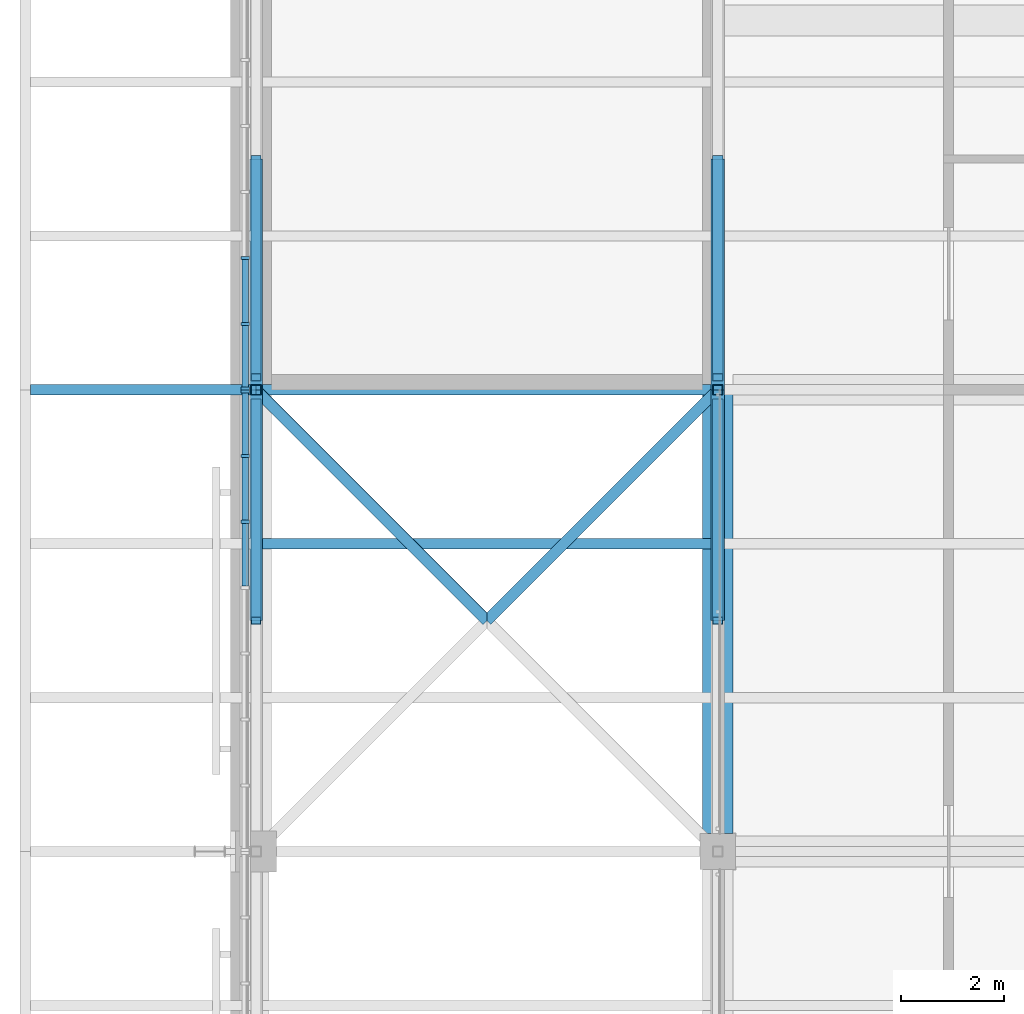
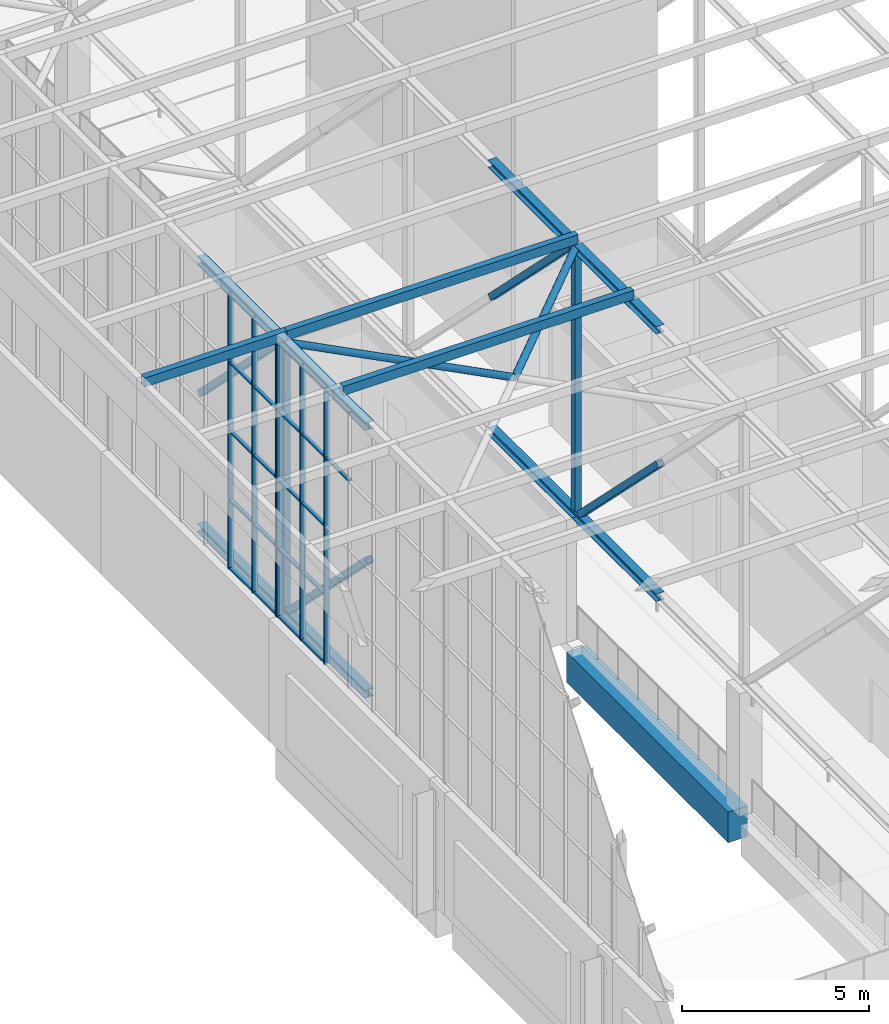
# One storey, part 23 of 646: 49 members, 1 beam, 2 elements without a shape of their own.
"""IFC4 building model written with IfcOpenShell, lengths in metres."""

from ifc_helpers import new_model, si_unit, direction, frame, origin, origin_2d, place, context, subcontext, project, spatial, rectangle, hollow_rectangle, hollow_circle, i_section, extrude, material, material_profile, profile_set, type_object, element, aggregate, save


model = new_model("IFC4")

# Units and contexts
model_context = context("Model", 3, precision=1e-05, world=origin(), true_north=direction((0.0, 1.0)))
body_context = subcontext(model_context, "Body", "Model", "MODEL_VIEW")
ifc_project = project(units=[si_unit("LENGTHUNIT", "METRE"), si_unit("AREAUNIT", "SQUARE_METRE"), si_unit("VOLUMEUNIT", "CUBIC_METRE"), si_unit("PLANEANGLEUNIT", "RADIAN"), si_unit("MASSUNIT", "GRAM", prefix="KILO")], contexts=[model_context])

# Site, building, storey
site_placement = place(None, origin())
site = spatial("IfcSite", under=ifc_project, at=site_placement, CompositionType="ELEMENT")
building_placement = place(site_placement, origin())
building = spatial("IfcBuilding", under=site, at=building_placement, Name="Silverbay Arena", CompositionType="ELEMENT")
storey_placement = place(building_placement, frame((0.0, 0.0, 33.5)))
storey = spatial("IfcBuildingStorey", under=building, at=storey_placement, Name="L05", CompositionType="ELEMENT", Elevation=33.5)

# Curtain wall, members
ifc_material_1 = material(Name="Aluminium framed glazing", Category="aluminium")
curtain_wall_type = type_object("IfcCurtainWallType", Name="Curtain wall clerestory 9000 x 9000", PredefinedType="NOTDEFINED", material=ifc_material_1)
curtain_wall_1_placement = place(storey_placement, origin())
curtain_wall_1 = element("IfcCurtainWall", 1, at=curtain_wall_1_placement, inside=storey, type_object=curtain_wall_type, Name="ROOF GABLE CLERESTORY CURTAIN WALL west bay 05", PredefinedType="NOTDEFINED")
ifc_material_2 = material(Name="Aluminium", Category="aluminium")
ifc_material_profile_1 = material_profile(ifc_material_2, rectangle(XDim=0.159912109375, YDim=0.06005859375, at=origin_2d()), Name="Mullion 60 x 160")
ifc_profile_set_1 = profile_set([ifc_material_profile_1], Name="Aluminium")
member_type_1 = type_object("IfcMemberType", Name="Mullion 60 x 160", PredefinedType="MULLION", material=ifc_profile_set_1)
member_1_placement = place(storey_placement, frame((53.7900390625, 51.428466796875, 4.0), z_axis=(0.0, 0.0, 1.0), x_axis=(-1.0, 0.0, 0.0)))
member_1 = element("IfcMember", 2, at=member_1_placement, type_object=member_type_1, Name="CW60 mullion 6", PredefinedType="MULLION", context=body_context, shape_type="SweptSolid", body=[
    extrude(rectangle(XDim=0.159912109375, YDim=0.06005859375, at=origin_2d()), origin(), (0.0, 0.0, 1.0), 9.0),
])
member_2_placement = place(storey_placement, frame((53.7900390625, 52.71435546875, 4.0), z_axis=(0.0, 0.0, 1.0), x_axis=(-1.0, 0.0, 0.0)))
member_2 = element("IfcMember", 3, at=member_2_placement, type_object=member_type_1, Name="CW60 mullion 7", PredefinedType="MULLION", context=body_context, shape_type="SweptSolid", body=[
    extrude(rectangle(XDim=0.159912109375, YDim=0.06005859375, at=origin_2d()), origin(), (0.0, 0.0, 1.0), 9.0),
])
member_3_placement = place(storey_placement, frame((53.7900390625, 53.969970703125, 4.0), z_axis=(0.0, 0.0, 1.0), x_axis=(-1.0, 0.0, 0.0)))
member_3 = element("IfcMember", 4, at=member_3_placement, type_object=member_type_1, Name="CW60 mullion 8", PredefinedType="MULLION", context=body_context, shape_type="SweptSolid", body=[
    extrude(rectangle(XDim=0.159912109375, YDim=0.06005859375, at=origin_2d()), origin(), (0.0, 0.0, 1.0), 9.0),
])

curtain_wall_2_placement = place(storey_placement, origin())
curtain_wall_2 = element("IfcCurtainWall", 5, at=curtain_wall_2_placement, inside=storey, type_object=curtain_wall_type, Name="ROOF GABLE CLERESTORY CURTAIN WALL west bay 06", PredefinedType="NOTDEFINED")
member_4_placement = place(storey_placement, frame((53.7900390625, 54.030029296875, 4.0), z_axis=(0.0, 0.0, 1.0), x_axis=(-1.0, 0.0, 0.0)))
member_4 = element("IfcMember", 6, at=member_4_placement, type_object=member_type_1, Name="CW60 mullion 1", PredefinedType="MULLION", context=body_context, shape_type="SweptSolid", body=[
    extrude(rectangle(XDim=0.159912109375, YDim=0.06005859375, at=origin_2d()), origin(), (0.0, 0.0, 1.0), 9.0),
])
member_5_placement = place(storey_placement, frame((53.7900390625, 55.28564453125, 4.0), z_axis=(0.0, 0.0, 1.0), x_axis=(-1.0, 0.0, 0.0)))
member_5 = element("IfcMember", 7, at=member_5_placement, type_object=member_type_1, Name="CW60 mullion 2", PredefinedType="MULLION", context=body_context, shape_type="SweptSolid", body=[
    extrude(rectangle(XDim=0.159912109375, YDim=0.06005859375, at=origin_2d()), origin(), (0.0, 0.0, 1.0), 9.0),
])
member_6_placement = place(storey_placement, frame((53.7900390625, 56.571533203125, 4.0), z_axis=(0.0, 0.0, 1.0), x_axis=(-1.0, 0.0, 0.0)))
member_6 = element("IfcMember", 8, at=member_6_placement, type_object=member_type_1, Name="CW60 mullion 3", PredefinedType="MULLION", context=body_context, shape_type="SweptSolid", body=[
    extrude(rectangle(XDim=0.159912109375, YDim=0.06005859375, at=origin_2d()), origin(), (0.0, 0.0, 1.0), 9.0),
])

# Members
ifc_material_3 = material(Name="Steel S355", Category="steel")
ifc_material_profile_2 = material_profile(ifc_material_3, hollow_circle(Radius=0.109619140625, WallThickness=0.00634765625, at=origin_2d()), Name="CHS 219.1x6.3")
ifc_profile_set_2 = profile_set([ifc_material_profile_2], Name="Steel S355")
member_type_2 = type_object("IfcMemberType", Name="Plan bracing CHS 219.1x6.3", PredefinedType="BRACE", material=ifc_profile_set_2)
for number, where, z_axis, x_axis, name in (
    (9, (58.5, 49.5, 12.873046875), (0.707106781187, 0.707106781187, 0.0), (-0.707106781187, 0.707106781187, 0.0), "ROOF BRACING top 7-8 panel 05 Ab"),
    (10, (54.0, 54.0, 12.873046875), (0.707106781187, -0.707106781187, 0.0), (0.707106781187, 0.707106781187, 0.0), "ROOF BRACING top 7-8 panel 05 Ba"),
):
    element("IfcMember", number, at=place(storey_placement, frame(where, z_axis=z_axis, x_axis=x_axis)), inside=storey, type_object=member_type_2, Name=name, PredefinedType="BRACE", context=body_context, shape_type="SweptSolid", body=[
        extrude(hollow_circle(Radius=0.109619140625, WallThickness=0.00634765625, at=origin_2d()), origin(), (0.0, 0.0, 1.0), 6.364013671875),
    ])
ifc_material_4 = material(Name="Steel S355", Category="steel")
ifc_material_profile_3 = material_profile(ifc_material_4, hollow_rectangle(XDim=0.199951171875, YDim=0.300048828125, WallThickness=0.008056640625, at=origin_2d()), Name="RHS 300x200x8")
ifc_profile_set_3 = profile_set([ifc_material_profile_3], Name="Steel S355")
member_type_3 = type_object("IfcMemberType", Name="Purlin RHS 300x200x8", PredefinedType="PURLIN", material=ifc_profile_set_3)
for number, where, z_axis, x_axis, name in (
    (11, (54.0, 51.0, 13.14990234375), (1.0, 0.0, 0.0), (0.0, 1.0, 0.0), "ROOF PURLIN 7-8 line 15"),
    (12, (54.0, 54.0, 13.14990234375), (1.0, 0.0, 0.0), (0.0, 1.0, 0.0), "ROOF PURLIN 7-8 line 16"),
):
    element("IfcMember", number, at=place(storey_placement, frame(where, z_axis=z_axis, x_axis=x_axis)), inside=storey, type_object=member_type_3, Name=name, PredefinedType="PURLIN", context=body_context, shape_type="SweptSolid", body=[
        extrude(hollow_rectangle(XDim=0.199951171875, YDim=0.300048828125, WallThickness=0.008056640625, at=origin_2d()), origin(), (0.0, 0.0, 1.0), 9.0),
    ])
member_7_placement = place(storey_placement, frame((49.60009765625, 54.0, 13.14990234375), z_axis=(1.0, 0.0, 0.0), x_axis=(0.0, 1.0, 0.0)))
element("IfcMember", 13, at=member_7_placement, inside=storey, type_object=member_type_3, Name="ROOF PURLIN west eave line 16", PredefinedType="PURLIN", context=body_context, shape_type="SweptSolid", body=[
    extrude(hollow_rectangle(XDim=0.199951171875, YDim=0.300048828125, WallThickness=0.008056640625, at=origin_2d()), origin(), (0.0, 0.0, 1.0), 4.39990234375),
])

# Beam
ifc_material_5 = material(Name="Concrete Grade C45", Category="concrete")
ifc_material_profile_4 = material_profile(ifc_material_5, rectangle(XDim=0.60009765625, YDim=1.0, at=origin_2d()), Name="RC 600x1000")
ifc_profile_set_4 = profile_set([ifc_material_profile_4], Name="Concrete Grade C45")
beam_type = type_object("IfcBeamType", Name="RC beam 600x1000", PredefinedType="BEAM", material=ifc_profile_set_4)
beam_placement = place(storey_placement, frame((63.0, 45.35009765625, -0.800048828125), z_axis=(0.0, 1.0, 0.0), x_axis=(-1.0, 0.0, 0.0)))
element("IfcBeam", 14, at=beam_placement, inside=storey, type_object=beam_type, Name="Floor beam L05 081", PredefinedType="BEAM", context=body_context, shape_type="SweptSolid", body=[
    extrude(rectangle(XDim=0.60009765625, YDim=1.0, at=origin_2d()), origin(), (0.0, 0.0, 1.0), 8.64990234375),
])

# Members
ifc_material_6 = material(Name="Steel S355", Category="steel")
ifc_material_profile_5 = material_profile(ifc_material_6, i_section(OverallWidth=0.254638671875, OverallDepth=0.254150390625, WebThickness=0.008544921875, FlangeThickness=0.01416015625, at=origin_2d()), Name="UC 254x254x73")
ifc_profile_set_5 = profile_set([ifc_material_profile_5], Name="Steel S355")
member_type_4 = type_object("IfcMemberType", Name="Short-span bottom chord UC 254x254x73", PredefinedType="CHORD", material=ifc_profile_set_5)
for number, where, z_axis, x_axis, name in (
    (15, (54.0, 49.5, 4.126953125), (0.0, 1.0, 0.0), (-1.0, 0.0, 0.0), "ROOF TRUSS 7 bottom chord 05b"),
    (16, (54.0, 54.0, 4.126953125), (0.0, 1.0, 0.0), (-1.0, 0.0, 0.0), "ROOF TRUSS 7 bottom chord 06a"),
    (17, (63.0, 49.5, 4.126953125), (0.0, 1.0, 0.0), (-1.0, 0.0, 0.0), "ROOF TRUSS 8 bottom chord 05b"),
    (18, (63.0, 54.0, 4.126953125), (0.0, 1.0, 0.0), (-1.0, 0.0, 0.0), "ROOF TRUSS 8 bottom chord 06a"),
):
    element("IfcMember", number, at=place(storey_placement, frame(where, z_axis=z_axis, x_axis=x_axis)), inside=storey, type_object=member_type_4, Name=name, PredefinedType="CHORD", context=body_context, shape_type="SweptSolid", body=[
        extrude(i_section(OverallWidth=0.254638671875, OverallDepth=0.254150390625, WebThickness=0.008544921875, FlangeThickness=0.01416015625, at=origin_2d()), origin(), (0.0, 0.0, 1.0), 4.5),
    ])
ifc_material_7 = material(Name="Steel S355", Category="steel")
ifc_material_profile_6 = material_profile(ifc_material_7, i_section(OverallWidth=0.254638671875, OverallDepth=0.254150390625, WebThickness=0.008544921875, FlangeThickness=0.01416015625, at=origin_2d()), Name="UC 254x254x73")
ifc_profile_set_6 = profile_set([ifc_material_profile_6], Name="Steel S355")
member_type_5 = type_object("IfcMemberType", Name="Short-span top chord UC 254x254x73", PredefinedType="CHORD", material=ifc_profile_set_6)
for number, where, z_axis, x_axis, name in (
    (19, (54.0, 49.5, 12.873046875), (0.0, 1.0, 0.0), (-1.0, 0.0, 0.0), "ROOF TRUSS 7 top chord 05b"),
    (20, (54.0, 54.0, 12.873046875), (0.0, 1.0, 0.0), (-1.0, 0.0, 0.0), "ROOF TRUSS 7 top chord 06a"),
    (21, (63.0, 49.5, 12.873046875), (0.0, 1.0, 0.0), (-1.0, 0.0, 0.0), "ROOF TRUSS 8 top chord 05b"),
    (22, (63.0, 54.0, 12.873046875), (0.0, 1.0, 0.0), (-1.0, 0.0, 0.0), "ROOF TRUSS 8 top chord 06a"),
):
    element("IfcMember", number, at=place(storey_placement, frame(where, z_axis=z_axis, x_axis=x_axis)), inside=storey, type_object=member_type_5, Name=name, PredefinedType="CHORD", context=body_context, shape_type="SweptSolid", body=[
        extrude(i_section(OverallWidth=0.254638671875, OverallDepth=0.254150390625, WebThickness=0.008544921875, FlangeThickness=0.01416015625, at=origin_2d()), origin(), (0.0, 0.0, 1.0), 4.5),
    ])
ifc_material_8 = material(Name="Steel S355", Category="steel")
ifc_material_profile_7 = material_profile(ifc_material_8, hollow_rectangle(XDim=0.199951171875, YDim=0.199951171875, WallThickness=0.008056640625, at=origin_2d()), Name="SHS 200x200x8")
ifc_profile_set_7 = profile_set([ifc_material_profile_7], Name="Steel S355")
member_type_6 = type_object("IfcMemberType", Name="Short-span truss diagonal SHS 200x200x8", PredefinedType="BRACE", material=ifc_profile_set_7)
member_8_placement = place(storey_placement, frame((54.0, 49.5, 8.5), z_axis=(0.0, 0.70781724692, -0.706395600894), x_axis=(-1.0, 0.0, 0.0)))
element("IfcMember", 23, at=member_8_placement, inside=storey, type_object=member_type_6, Name="ROOF TRUSS 7 diagonal 05b", PredefinedType="BRACE", context=body_context, shape_type="SweptSolid", body=[
    extrude(hollow_rectangle(XDim=0.199951171875, YDim=0.199951171875, WallThickness=0.008056640625, at=origin_2d()), origin(), (0.0, 0.0, 1.0), 6.010498046875),
])
member_9_placement = place(storey_placement, frame((54.0, 54.24560546875, 12.745849609375), z_axis=(0.0, 0.707411529143, -0.706801901834), x_axis=(-1.0, 0.0, 0.0)))
element("IfcMember", 24, at=member_9_placement, inside=storey, type_object=member_type_6, Name="ROOF TRUSS 7 diagonal 06a", PredefinedType="BRACE", context=body_context, shape_type="SweptSolid", body=[
    extrude(hollow_rectangle(XDim=0.199951171875, YDim=0.199951171875, WallThickness=0.008056640625, at=origin_2d()), origin(), (0.0, 0.0, 1.0), 6.007080078125),
])
member_10_placement = place(storey_placement, frame((63.0, 49.5, 8.5), z_axis=(0.0, 0.70781724692, -0.706395600894), x_axis=(-1.0, 0.0, 0.0)))
element("IfcMember", 25, at=member_10_placement, inside=storey, type_object=member_type_6, Name="ROOF TRUSS 8 diagonal 05b", PredefinedType="BRACE", context=body_context, shape_type="SweptSolid", body=[
    extrude(hollow_rectangle(XDim=0.199951171875, YDim=0.199951171875, WallThickness=0.008056640625, at=origin_2d()), origin(), (0.0, 0.0, 1.0), 6.010498046875),
])
member_11_placement = place(storey_placement, frame((63.0, 54.24560546875, 12.745849609375), z_axis=(0.0, 0.707411529143, -0.706801901834), x_axis=(-1.0, 0.0, 0.0)))
element("IfcMember", 26, at=member_11_placement, inside=storey, type_object=member_type_6, Name="ROOF TRUSS 8 diagonal 06a", PredefinedType="BRACE", context=body_context, shape_type="SweptSolid", body=[
    extrude(hollow_rectangle(XDim=0.199951171875, YDim=0.199951171875, WallThickness=0.008056640625, at=origin_2d()), origin(), (0.0, 0.0, 1.0), 6.007080078125),
])
ifc_material_9 = material(Name="Steel S355", Category="steel")
ifc_material_profile_8 = material_profile(ifc_material_9, hollow_rectangle(XDim=0.199951171875, YDim=0.199951171875, WallThickness=0.008056640625, at=origin_2d()), Name="SHS 200x200x8")
ifc_profile_set_8 = profile_set([ifc_material_profile_8], Name="Steel S355")
member_type_7 = type_object("IfcMemberType", Name="Short-span truss vertical SHS 200x200x8", PredefinedType="STRUT", material=ifc_profile_set_8)
for number, where, z_axis, x_axis, name in (
    (27, (54.0, 54.0, 4.254150390625), (0.0, 0.0, 1.0), (1.0, 0.0, 0.0), "ROOF TRUSS 7 vertical 06a"),
    (28, (54.0, 54.0, 8.5), (0.0, 0.0, 1.0), (1.0, 0.0, 0.0), "ROOF TRUSS 7 vertical 06b"),
    (29, (63.0, 54.0, 4.254150390625), (0.0, 0.0, 1.0), (1.0, 0.0, 0.0), "ROOF TRUSS 8 vertical 06a"),
    (30, (63.0, 54.0, 8.5), (0.0, 0.0, 1.0), (1.0, 0.0, 0.0), "ROOF TRUSS 8 vertical 06b"),
):
    element("IfcMember", number, at=place(storey_placement, frame(where, z_axis=z_axis, x_axis=x_axis)), inside=storey, type_object=member_type_7, Name=name, PredefinedType="STRUT", context=body_context, shape_type="SweptSolid", body=[
        extrude(hollow_rectangle(XDim=0.199951171875, YDim=0.199951171875, WallThickness=0.008056640625, at=origin_2d()), origin(), (0.0, 0.0, 1.0), 4.245849609375),
    ])

# Member
ifc_material_10 = material(Name="Aluminium", Category="aluminium")
ifc_material_profile_9 = material_profile(ifc_material_10, rectangle(XDim=0.1201171875, YDim=0.050048828125, at=origin_2d()), Name="Transom 50 x 120")
ifc_profile_set_9 = profile_set([ifc_material_profile_9], Name="Aluminium")
member_type_8 = type_object("IfcMemberType", Name="Transom 50 x 120", PredefinedType="USERDEFINED", material=ifc_profile_set_9)
member_12_placement = place(storey_placement, frame((53.7900390625, 50.1728515625, 10.75), z_axis=(0.0, 1.0, 0.0), x_axis=(-1.0, 0.0, 0.0)))
member_12 = element("IfcMember", 31, at=member_12_placement, type_object=member_type_8, Name="CW60 transom 5.4", ObjectType="TRANSOM", PredefinedType="USERDEFINED", context=body_context, shape_type="SweptSolid", body=[
    extrude(rectangle(XDim=0.1201171875, YDim=0.050048828125, at=origin_2d()), origin(), (0.0, 0.0, 1.0), 1.225830078125),
])

member_13_placement = place(storey_placement, frame((53.7900390625, 50.1728515625, 12.97509765625), z_axis=(0.0, 1.0, 0.0), x_axis=(-1.0, 0.0, 0.0)))
member_13 = element("IfcMember", 32, at=member_13_placement, type_object=member_type_8, Name="CW60 transom 5.5", ObjectType="TRANSOM", PredefinedType="USERDEFINED", context=body_context, shape_type="SweptSolid", body=[
    extrude(rectangle(XDim=0.1201171875, YDim=0.050048828125, at=origin_2d()), origin(), (0.0, 0.0, 1.0), 1.225830078125),
])

member_14_placement = place(storey_placement, frame((53.7900390625, 51.45849609375, 4.02490234375), z_axis=(0.0, 1.0, 0.0), x_axis=(-1.0, 0.0, 0.0)))
member_14 = element("IfcMember", 33, at=member_14_placement, type_object=member_type_8, Name="CW60 transom 6.1", ObjectType="TRANSOM", PredefinedType="USERDEFINED", context=body_context, shape_type="SweptSolid", body=[
    extrude(rectangle(XDim=0.1201171875, YDim=0.050048828125, at=origin_2d()), origin(), (0.0, 0.0, 1.0), 1.225830078125),
])

member_15_placement = place(storey_placement, frame((53.7900390625, 51.45849609375, 6.25), z_axis=(0.0, 1.0, 0.0), x_axis=(-1.0, 0.0, 0.0)))
member_15 = element("IfcMember", 34, at=member_15_placement, type_object=member_type_8, Name="CW60 transom 6.2", ObjectType="TRANSOM", PredefinedType="USERDEFINED", context=body_context, shape_type="SweptSolid", body=[
    extrude(rectangle(XDim=0.1201171875, YDim=0.050048828125, at=origin_2d()), origin(), (0.0, 0.0, 1.0), 1.225830078125),
])

member_16_placement = place(storey_placement, frame((53.7900390625, 51.45849609375, 8.5), z_axis=(0.0, 1.0, 0.0), x_axis=(-1.0, 0.0, 0.0)))
member_16 = element("IfcMember", 35, at=member_16_placement, type_object=member_type_8, Name="CW60 transom 6.3", ObjectType="TRANSOM", PredefinedType="USERDEFINED", context=body_context, shape_type="SweptSolid", body=[
    extrude(rectangle(XDim=0.1201171875, YDim=0.050048828125, at=origin_2d()), origin(), (0.0, 0.0, 1.0), 1.225830078125),
])

member_17_placement = place(storey_placement, frame((53.7900390625, 51.45849609375, 10.75), z_axis=(0.0, 1.0, 0.0), x_axis=(-1.0, 0.0, 0.0)))
member_17 = element("IfcMember", 36, at=member_17_placement, type_object=member_type_8, Name="CW60 transom 6.4", ObjectType="TRANSOM", PredefinedType="USERDEFINED", context=body_context, shape_type="SweptSolid", body=[
    extrude(rectangle(XDim=0.1201171875, YDim=0.050048828125, at=origin_2d()), origin(), (0.0, 0.0, 1.0), 1.225830078125),
])

member_18_placement = place(storey_placement, frame((53.7900390625, 51.45849609375, 12.97509765625), z_axis=(0.0, 1.0, 0.0), x_axis=(-1.0, 0.0, 0.0)))
member_18 = element("IfcMember", 37, at=member_18_placement, type_object=member_type_8, Name="CW60 transom 6.5", ObjectType="TRANSOM", PredefinedType="USERDEFINED", context=body_context, shape_type="SweptSolid", body=[
    extrude(rectangle(XDim=0.1201171875, YDim=0.050048828125, at=origin_2d()), origin(), (0.0, 0.0, 1.0), 1.225830078125),
])

member_19_placement = place(storey_placement, frame((53.7900390625, 52.744384765625, 4.02490234375), z_axis=(0.0, 1.0, 0.0), x_axis=(-1.0, 0.0, 0.0)))
member_19 = element("IfcMember", 38, at=member_19_placement, type_object=member_type_8, Name="CW60 transom 7.1", ObjectType="TRANSOM", PredefinedType="USERDEFINED", context=body_context, shape_type="SweptSolid", body=[
    extrude(rectangle(XDim=0.1201171875, YDim=0.050048828125, at=origin_2d()), origin(), (0.0, 0.0, 1.0), 1.195556640625),
])

member_20_placement = place(storey_placement, frame((53.7900390625, 52.744384765625, 6.25), z_axis=(0.0, 1.0, 0.0), x_axis=(-1.0, 0.0, 0.0)))
member_20 = element("IfcMember", 39, at=member_20_placement, type_object=member_type_8, Name="CW60 transom 7.2", ObjectType="TRANSOM", PredefinedType="USERDEFINED", context=body_context, shape_type="SweptSolid", body=[
    extrude(rectangle(XDim=0.1201171875, YDim=0.050048828125, at=origin_2d()), origin(), (0.0, 0.0, 1.0), 1.195556640625),
])

member_21_placement = place(storey_placement, frame((53.7900390625, 52.744384765625, 8.5), z_axis=(0.0, 1.0, 0.0), x_axis=(-1.0, 0.0, 0.0)))
member_21 = element("IfcMember", 40, at=member_21_placement, type_object=member_type_8, Name="CW60 transom 7.3", ObjectType="TRANSOM", PredefinedType="USERDEFINED", context=body_context, shape_type="SweptSolid", body=[
    extrude(rectangle(XDim=0.1201171875, YDim=0.050048828125, at=origin_2d()), origin(), (0.0, 0.0, 1.0), 1.195556640625),
])

member_22_placement = place(storey_placement, frame((53.7900390625, 52.744384765625, 10.75), z_axis=(0.0, 1.0, 0.0), x_axis=(-1.0, 0.0, 0.0)))
member_22 = element("IfcMember", 41, at=member_22_placement, type_object=member_type_8, Name="CW60 transom 7.4", ObjectType="TRANSOM", PredefinedType="USERDEFINED", context=body_context, shape_type="SweptSolid", body=[
    extrude(rectangle(XDim=0.1201171875, YDim=0.050048828125, at=origin_2d()), origin(), (0.0, 0.0, 1.0), 1.195556640625),
])

member_23_placement = place(storey_placement, frame((53.7900390625, 52.744384765625, 12.97509765625), z_axis=(0.0, 1.0, 0.0), x_axis=(-1.0, 0.0, 0.0)))
member_23 = element("IfcMember", 42, at=member_23_placement, type_object=member_type_8, Name="CW60 transom 7.5", ObjectType="TRANSOM", PredefinedType="USERDEFINED", context=body_context, shape_type="SweptSolid", body=[
    extrude(rectangle(XDim=0.1201171875, YDim=0.050048828125, at=origin_2d()), origin(), (0.0, 0.0, 1.0), 1.195556640625),
])

aggregate(curtain_wall_1, [member_1, member_2, member_3, member_12, member_13, member_14, member_15, member_16, member_17, member_18, member_19, member_20, member_21, member_22, member_23])

member_24_placement = place(storey_placement, frame((53.7900390625, 54.06005859375, 4.02490234375), z_axis=(0.0, 1.0, 0.0), x_axis=(-1.0, 0.0, 0.0)))
member_24 = element("IfcMember", 43, at=member_24_placement, type_object=member_type_8, Name="CW60 transom 1.1", ObjectType="TRANSOM", PredefinedType="USERDEFINED", context=body_context, shape_type="SweptSolid", body=[
    extrude(rectangle(XDim=0.1201171875, YDim=0.050048828125, at=origin_2d()), origin(), (0.0, 0.0, 1.0), 1.195556640625),
])

member_25_placement = place(storey_placement, frame((53.7900390625, 54.06005859375, 6.25), z_axis=(0.0, 1.0, 0.0), x_axis=(-1.0, 0.0, 0.0)))
member_25 = element("IfcMember", 44, at=member_25_placement, type_object=member_type_8, Name="CW60 transom 1.2", ObjectType="TRANSOM", PredefinedType="USERDEFINED", context=body_context, shape_type="SweptSolid", body=[
    extrude(rectangle(XDim=0.1201171875, YDim=0.050048828125, at=origin_2d()), origin(), (0.0, 0.0, 1.0), 1.195556640625),
])

member_26_placement = place(storey_placement, frame((53.7900390625, 54.06005859375, 8.5), z_axis=(0.0, 1.0, 0.0), x_axis=(-1.0, 0.0, 0.0)))
member_26 = element("IfcMember", 45, at=member_26_placement, type_object=member_type_8, Name="CW60 transom 1.3", ObjectType="TRANSOM", PredefinedType="USERDEFINED", context=body_context, shape_type="SweptSolid", body=[
    extrude(rectangle(XDim=0.1201171875, YDim=0.050048828125, at=origin_2d()), origin(), (0.0, 0.0, 1.0), 1.195556640625),
])

member_27_placement = place(storey_placement, frame((53.7900390625, 54.06005859375, 10.75), z_axis=(0.0, 1.0, 0.0), x_axis=(-1.0, 0.0, 0.0)))
member_27 = element("IfcMember", 46, at=member_27_placement, type_object=member_type_8, Name="CW60 transom 1.4", ObjectType="TRANSOM", PredefinedType="USERDEFINED", context=body_context, shape_type="SweptSolid", body=[
    extrude(rectangle(XDim=0.1201171875, YDim=0.050048828125, at=origin_2d()), origin(), (0.0, 0.0, 1.0), 1.195556640625),
])

member_28_placement = place(storey_placement, frame((53.7900390625, 54.06005859375, 12.97509765625), z_axis=(0.0, 1.0, 0.0), x_axis=(-1.0, 0.0, 0.0)))
member_28 = element("IfcMember", 47, at=member_28_placement, type_object=member_type_8, Name="CW60 transom 1.5", ObjectType="TRANSOM", PredefinedType="USERDEFINED", context=body_context, shape_type="SweptSolid", body=[
    extrude(rectangle(XDim=0.1201171875, YDim=0.050048828125, at=origin_2d()), origin(), (0.0, 0.0, 1.0), 1.195556640625),
])

member_29_placement = place(storey_placement, frame((53.7900390625, 55.315673828125, 4.02490234375), z_axis=(0.0, 1.0, 0.0), x_axis=(-1.0, 0.0, 0.0)))
member_29 = element("IfcMember", 48, at=member_29_placement, type_object=member_type_8, Name="CW60 transom 2.1", ObjectType="TRANSOM", PredefinedType="USERDEFINED", context=body_context, shape_type="SweptSolid", body=[
    extrude(rectangle(XDim=0.1201171875, YDim=0.050048828125, at=origin_2d()), origin(), (0.0, 0.0, 1.0), 1.225830078125),
])

member_30_placement = place(storey_placement, frame((53.7900390625, 55.315673828125, 6.25), z_axis=(0.0, 1.0, 0.0), x_axis=(-1.0, 0.0, 0.0)))
member_30 = element("IfcMember", 49, at=member_30_placement, type_object=member_type_8, Name="CW60 transom 2.2", ObjectType="TRANSOM", PredefinedType="USERDEFINED", context=body_context, shape_type="SweptSolid", body=[
    extrude(rectangle(XDim=0.1201171875, YDim=0.050048828125, at=origin_2d()), origin(), (0.0, 0.0, 1.0), 1.225830078125),
])

member_31_placement = place(storey_placement, frame((53.7900390625, 55.315673828125, 8.5), z_axis=(0.0, 1.0, 0.0), x_axis=(-1.0, 0.0, 0.0)))
member_31 = element("IfcMember", 50, at=member_31_placement, type_object=member_type_8, Name="CW60 transom 2.3", ObjectType="TRANSOM", PredefinedType="USERDEFINED", context=body_context, shape_type="SweptSolid", body=[
    extrude(rectangle(XDim=0.1201171875, YDim=0.050048828125, at=origin_2d()), origin(), (0.0, 0.0, 1.0), 1.225830078125),
])

member_32_placement = place(storey_placement, frame((53.7900390625, 55.315673828125, 10.75), z_axis=(0.0, 1.0, 0.0), x_axis=(-1.0, 0.0, 0.0)))
member_32 = element("IfcMember", 51, at=member_32_placement, type_object=member_type_8, Name="CW60 transom 2.4", ObjectType="TRANSOM", PredefinedType="USERDEFINED", context=body_context, shape_type="SweptSolid", body=[
    extrude(rectangle(XDim=0.1201171875, YDim=0.050048828125, at=origin_2d()), origin(), (0.0, 0.0, 1.0), 1.225830078125),
])

member_33_placement = place(storey_placement, frame((53.7900390625, 55.315673828125, 12.97509765625), z_axis=(0.0, 1.0, 0.0), x_axis=(-1.0, 0.0, 0.0)))
member_33 = element("IfcMember", 52, at=member_33_placement, type_object=member_type_8, Name="CW60 transom 2.5", ObjectType="TRANSOM", PredefinedType="USERDEFINED", context=body_context, shape_type="SweptSolid", body=[
    extrude(rectangle(XDim=0.1201171875, YDim=0.050048828125, at=origin_2d()), origin(), (0.0, 0.0, 1.0), 1.225830078125),
])

aggregate(curtain_wall_2, [member_4, member_5, member_6, member_24, member_25, member_26, member_27, member_28, member_29, member_30, member_31, member_32, member_33])

save(model, "model.ifc")
